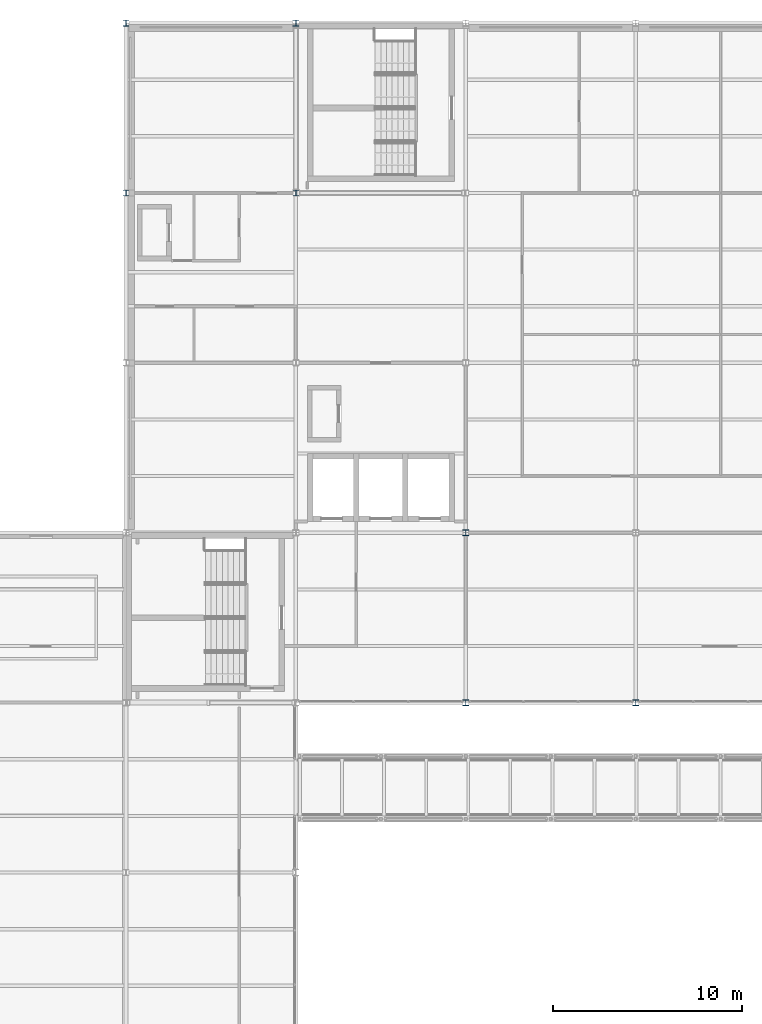
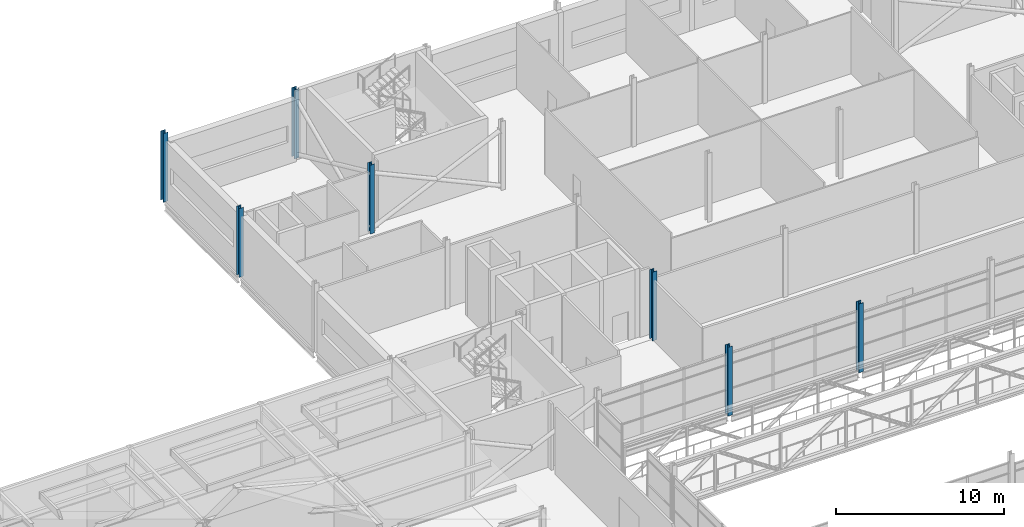
# One storey, part 10 of 115: 7 columns.
"""IFC4 building model written with IfcOpenShell, lengths in metres."""

from ifc_helpers import new_model, si_unit, direction, frame, origin, origin_2d, place, context, subcontext, project, spatial, i_section, extrude, material, material_profile, profile_set, type_object, element, save


model = new_model("IFC4")

# Units and contexts
model_context = context("Model", 3, precision=1e-05, world=origin(), true_north=direction((0.0, 1.0)))
body_context = subcontext(model_context, "Body", "Model", "MODEL_VIEW")
ifc_project = project(units=[si_unit("LENGTHUNIT", "METRE"), si_unit("AREAUNIT", "SQUARE_METRE"), si_unit("VOLUMEUNIT", "CUBIC_METRE"), si_unit("PLANEANGLEUNIT", "RADIAN"), si_unit("MASSUNIT", "GRAM", prefix="KILO")], contexts=[model_context])

# Site, building, storey
site_placement = place(None, origin())
site = spatial("IfcSite", under=ifc_project, at=site_placement, CompositionType="ELEMENT")
building_placement = place(site_placement, origin())
building = spatial("IfcBuilding", under=site, at=building_placement, Name="Shorebreak Coast Museum", CompositionType="ELEMENT")
storey_placement = place(building_placement, frame((0.0, 0.0, 11.0)))
storey = spatial("IfcBuildingStorey", under=building, at=storey_placement, Name="L02", CompositionType="ELEMENT", Elevation=11.0)

# Columns
ifc_material_1 = material(Name="Steel Grade 300", Category="steel")
ifc_material_profile_1 = material_profile(ifc_material_1, i_section(OverallWidth=0.306884765625, OverallDepth=0.314697265625, WebThickness=0.011962890625, FlangeThickness=0.018798828125, FilletRadius=0.0166015625, at=origin_2d()), Name="310UC118")
ifc_profile_set_1 = profile_set([ifc_material_profile_1], Name="Steel Grade 300")
column_type_1 = type_object("IfcColumnType", Name="Column 310UC118", PredefinedType="COLUMN", material=ifc_profile_set_1)
for number, where, z_axis, x_axis, name in (
    (1, (54.0, 108.0, 0.0), (0.0, 0.0, 1.0), (1.0, 0.0, 0.0), "Column L02 7N"),
    (2, (63.0, 108.0, 0.0), (0.0, 0.0, 1.0), (1.0, 0.0, 0.0), "Column L02 8N"),
):
    element("IfcColumn", number, at=place(storey_placement, frame(where, z_axis=z_axis, x_axis=x_axis)), inside=storey, type_object=column_type_1, Name=name, PredefinedType="COLUMN", context=body_context, shape_type="SweptSolid", body=[
        extrude(i_section(OverallWidth=0.306884765625, OverallDepth=0.314697265625, WebThickness=0.011962890625, FlangeThickness=0.018798828125, FilletRadius=0.0166015625, at=origin_2d()), origin(), (0.0, 0.0, 1.0), 5.0),
    ])
ifc_material_2 = material(Name="Steel Grade 300", Category="steel")
ifc_material_profile_2 = material_profile(ifc_material_2, i_section(OverallWidth=0.31103515625, OverallDepth=0.3271484375, WebThickness=0.015625, FlangeThickness=0.02490234375, FilletRadius=0.0166015625, at=origin_2d()), Name="310UC158")
ifc_profile_set_2 = profile_set([ifc_material_profile_2], Name="Steel Grade 300")
column_type_2 = type_object("IfcColumnType", Name="Column 310UC158", PredefinedType="COLUMN", material=ifc_profile_set_2)
for number, where, z_axis, x_axis, name in (
    (3, (72.0, 81.0, 0.0), (0.0, 0.0, 1.0), (1.0, 0.0, 0.0), "Column L02 9K"),
    (4, (81.0, 81.0, 0.0), (0.0, 0.0, 1.0), (1.0, 0.0, 0.0), "Column L02 10K"),
    (5, (72.0, 90.0, 0.0), (0.0, 0.0, 1.0), (1.0, 0.0, 0.0), "Column L02 9L"),
    (6, (54.0, 117.0, 0.0), (0.0, 0.0, 1.0), (1.0, 0.0, 0.0), "Column L02 7P"),
    (7, (63.0, 117.0, 0.0), (0.0, 0.0, 1.0), (1.0, 0.0, 0.0), "Column L02 8P"),
):
    element("IfcColumn", number, at=place(storey_placement, frame(where, z_axis=z_axis, x_axis=x_axis)), inside=storey, type_object=column_type_2, Name=name, PredefinedType="COLUMN", context=body_context, shape_type="SweptSolid", body=[
        extrude(i_section(OverallWidth=0.31103515625, OverallDepth=0.3271484375, WebThickness=0.015625, FlangeThickness=0.02490234375, FilletRadius=0.0166015625, at=origin_2d()), origin(), (0.0, 0.0, 1.0), 5.0),
    ])

save(model, "model.ifc")
